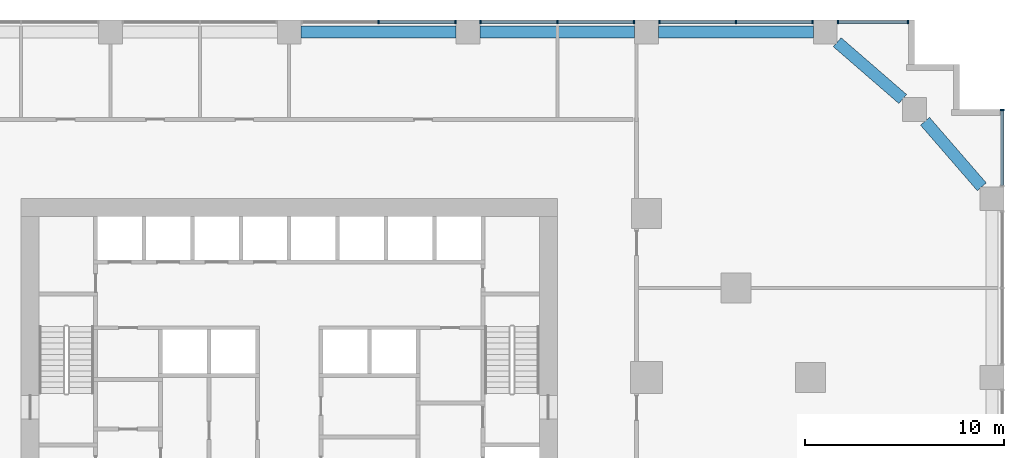
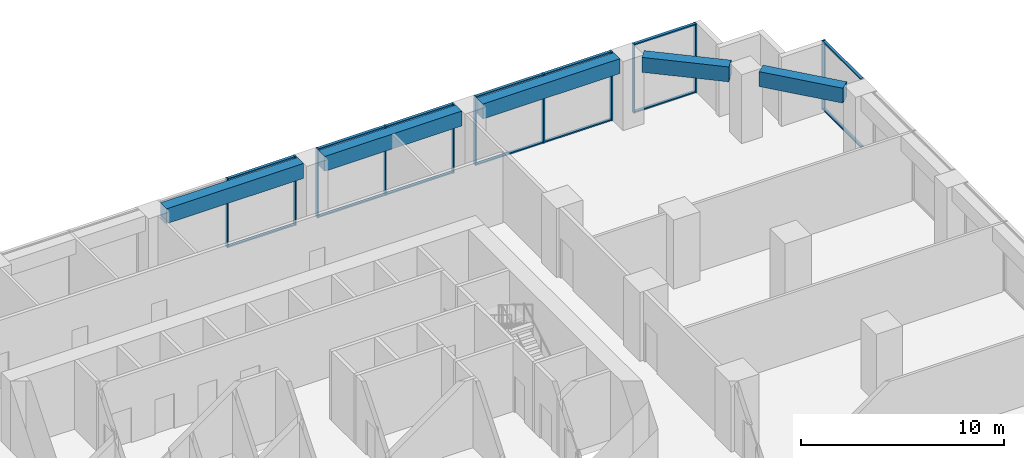
# One storey, part 9 of 18: 25 members, 5 beams, 5 elements without a shape of their own.
"""IFC4 building model written with IfcOpenShell, lengths in metres."""

from ifc_helpers import new_model, si_unit, direction, frame, origin, origin_2d, place, context, subcontext, project, spatial, rectangle, extrude, material, material_profile, profile_set, type_object, element, aggregate, save


model = new_model("IFC4")

# Units and contexts
model_context = context("Model", 3, precision=1e-05, world=origin(), true_north=direction((0.0, 1.0)))
body_context = subcontext(model_context, "Body", "Model", "MODEL_VIEW")
ifc_project = project(units=[si_unit("LENGTHUNIT", "METRE"), si_unit("AREAUNIT", "SQUARE_METRE"), si_unit("VOLUMEUNIT", "CUBIC_METRE"), si_unit("PLANEANGLEUNIT", "RADIAN"), si_unit("MASSUNIT", "GRAM", prefix="KILO")], contexts=[model_context])

# Site, building, storey
site_placement = place(None, origin())
site = spatial("IfcSite", under=ifc_project, at=site_placement, CompositionType="ELEMENT")
building_placement = place(site_placement, origin())
building = spatial("IfcBuilding", under=site, at=building_placement, Name="Orbiselva Terraces", CompositionType="ELEMENT")
storey_placement = place(building_placement, frame((0.0, 0.0, 6.0)))
storey = spatial("IfcBuildingStorey", under=building, at=storey_placement, Name="L01", CompositionType="ELEMENT", Elevation=6.0)

# Curtain wall, member
ifc_material_1 = material(Name="Clear low-e glazing in aluminium frame", Category="aluminium")
curtain_wall_type = type_object("IfcCurtainWallType", Name="ENV-CW-LOBBY", PredefinedType="NOTDEFINED", material=ifc_material_1)
curtain_wall_1_placement = place(storey_placement, origin())
curtain_wall_1 = element("IfcCurtainWall", 1, at=curtain_wall_1_placement, inside=storey, type_object=curtain_wall_type, Name="Curtain wall L01 E", PredefinedType="NOTDEFINED")
ifc_material_2 = material(Name="Anodised aluminium", Category="aluminium")
ifc_material_profile_1 = material_profile(ifc_material_2, rectangle(XDim=0.2, YDim=0.075, at=origin_2d()), Name="AL 75x200")
ifc_profile_set_1 = profile_set([ifc_material_profile_1], Name="Anodised aluminium")
member_type_1 = type_object("IfcMemberType", Name="ENV-CW-LOBBY-MULLION-75x200", PredefinedType="MULLION", material=ifc_profile_set_1)
member_1_placement = place(storey_placement, frame((35.9, 26.9625, 0.0), z_axis=(0.0, 0.0, 1.0), x_axis=(-1.0, 0.0, 0.0)))
member_1 = element("IfcMember", 2, at=member_1_placement, type_object=member_type_1, Name="CW1 mullion 2", PredefinedType="MULLION", context=body_context, shape_type="SweptSolid", body=[
    extrude(rectangle(XDim=0.2, YDim=0.075, at=origin_2d()), origin(), (0.0, 0.0, 1.0), 4.15),
])

# Curtain wall, members
curtain_wall_2_placement = place(storey_placement, origin())
curtain_wall_2 = element("IfcCurtainWall", 3, at=curtain_wall_2_placement, inside=storey, type_object=curtain_wall_type, Name="Curtain wall L01 N", PredefinedType="NOTDEFINED")
member_2_placement = place(storey_placement, frame((31.1625, 31.4, 0.0), z_axis=(0.0, 0.0, 1.0), x_axis=(0.0, -1.0, 0.0)))
member_2 = element("IfcMember", 4, at=member_2_placement, type_object=member_type_1, Name="CW1 mullion 1", PredefinedType="MULLION", context=body_context, shape_type="SweptSolid", body=[
    extrude(rectangle(XDim=0.2, YDim=0.075, at=origin_2d()), origin(), (0.0, 0.0, 1.0), 4.15),
])
member_3_placement = place(storey_placement, frame((27.6375, 31.4, 0.0), z_axis=(0.0, 0.0, 1.0), x_axis=(0.0, -1.0, 0.0)))
member_3 = element("IfcMember", 5, at=member_3_placement, type_object=member_type_1, Name="CW1 mullion 2", PredefinedType="MULLION", context=body_context, shape_type="SweptSolid", body=[
    extrude(rectangle(XDim=0.2, YDim=0.075, at=origin_2d()), origin(), (0.0, 0.0, 1.0), 4.15),
])

curtain_wall_3_placement = place(storey_placement, origin())
curtain_wall_3 = element("IfcCurtainWall", 6, at=curtain_wall_3_placement, inside=storey, type_object=curtain_wall_type, Name="Curtain wall L01 N", PredefinedType="NOTDEFINED")
member_4_placement = place(storey_placement, frame((26.3625, 31.4, 0.0), z_axis=(0.0, 0.0, 1.0), x_axis=(0.0, -1.0, 0.0)))
member_4 = element("IfcMember", 7, at=member_4_placement, type_object=member_type_1, Name="CW1 mullion 1", PredefinedType="MULLION", context=body_context, shape_type="SweptSolid", body=[
    extrude(rectangle(XDim=0.2, YDim=0.075, at=origin_2d()), origin(), (0.0, 0.0, 1.0), 4.15),
])
member_5_placement = place(storey_placement, frame((22.5, 31.4, 0.0), z_axis=(0.0, 0.0, 1.0), x_axis=(0.0, -1.0, 0.0)))
member_5 = element("IfcMember", 8, at=member_5_placement, type_object=member_type_1, Name="CW1 mullion 2", PredefinedType="MULLION", context=body_context, shape_type="SweptSolid", body=[
    extrude(rectangle(XDim=0.2, YDim=0.075, at=origin_2d()), origin(), (0.0, 0.0, 1.0), 4.15),
])
member_6_placement = place(storey_placement, frame((18.6375, 31.4, 0.0), z_axis=(0.0, 0.0, 1.0), x_axis=(0.0, -1.0, 0.0)))
member_6 = element("IfcMember", 9, at=member_6_placement, type_object=member_type_1, Name="CW1 mullion 3", PredefinedType="MULLION", context=body_context, shape_type="SweptSolid", body=[
    extrude(rectangle(XDim=0.2, YDim=0.075, at=origin_2d()), origin(), (0.0, 0.0, 1.0), 4.15),
])

curtain_wall_4_placement = place(storey_placement, origin())
curtain_wall_4 = element("IfcCurtainWall", 10, at=curtain_wall_4_placement, inside=storey, type_object=curtain_wall_type, Name="Curtain wall L01 N", PredefinedType="NOTDEFINED")
member_7_placement = place(storey_placement, frame((17.3625, 31.4, 0.0), z_axis=(0.0, 0.0, 1.0), x_axis=(0.0, -1.0, 0.0)))
member_7 = element("IfcMember", 11, at=member_7_placement, type_object=member_type_1, Name="CW1 mullion 1", PredefinedType="MULLION", context=body_context, shape_type="SweptSolid", body=[
    extrude(rectangle(XDim=0.2, YDim=0.075, at=origin_2d()), origin(), (0.0, 0.0, 1.0), 4.15),
])
member_8_placement = place(storey_placement, frame((13.5, 31.4, 0.0), z_axis=(0.0, 0.0, 1.0), x_axis=(0.0, -1.0, 0.0)))
member_8 = element("IfcMember", 12, at=member_8_placement, type_object=member_type_1, Name="CW1 mullion 2", PredefinedType="MULLION", context=body_context, shape_type="SweptSolid", body=[
    extrude(rectangle(XDim=0.2, YDim=0.075, at=origin_2d()), origin(), (0.0, 0.0, 1.0), 4.15),
])
member_9_placement = place(storey_placement, frame((9.6375, 31.4, 0.0), z_axis=(0.0, 0.0, 1.0), x_axis=(0.0, -1.0, 0.0)))
member_9 = element("IfcMember", 13, at=member_9_placement, type_object=member_type_1, Name="CW1 mullion 3", PredefinedType="MULLION", context=body_context, shape_type="SweptSolid", body=[
    extrude(rectangle(XDim=0.2, YDim=0.075, at=origin_2d()), origin(), (0.0, 0.0, 1.0), 4.15),
])

curtain_wall_5_placement = place(storey_placement, origin())
curtain_wall_5 = element("IfcCurtainWall", 14, at=curtain_wall_5_placement, inside=storey, type_object=curtain_wall_type, Name="Curtain wall L01 N", PredefinedType="NOTDEFINED")
member_10_placement = place(storey_placement, frame((8.3625, 31.4, 0.0), z_axis=(0.0, 0.0, 1.0), x_axis=(0.0, -1.0, 0.0)))
member_10 = element("IfcMember", 15, at=member_10_placement, type_object=member_type_1, Name="CW1 mullion 1", PredefinedType="MULLION", context=body_context, shape_type="SweptSolid", body=[
    extrude(rectangle(XDim=0.2, YDim=0.075, at=origin_2d()), origin(), (0.0, 0.0, 1.0), 4.15),
])
member_11_placement = place(storey_placement, frame((4.5, 31.4, 0.0), z_axis=(0.0, 0.0, 1.0), x_axis=(0.0, -1.0, 0.0)))
member_11 = element("IfcMember", 16, at=member_11_placement, type_object=member_type_1, Name="CW1 mullion 2", PredefinedType="MULLION", context=body_context, shape_type="SweptSolid", body=[
    extrude(rectangle(XDim=0.2, YDim=0.075, at=origin_2d()), origin(), (0.0, 0.0, 1.0), 4.15),
])

# Member
ifc_material_profile_2 = material_profile(ifc_material_2, rectangle(XDim=0.16, YDim=0.075, at=origin_2d()), Name="AL 75x160")
ifc_profile_set_2 = profile_set([ifc_material_profile_2], Name="Anodised aluminium")
member_type_2 = type_object("IfcMemberType", Name="ENV-CW-LOBBY-TRANSOM-75x160", PredefinedType="USERDEFINED", material=ifc_profile_set_2)
member_12_placement = place(storey_placement, frame((35.9, 23.175, 0.0375), z_axis=(0.0, 1.0, 0.0), x_axis=(-1.0, 0.0, 0.0)))
member_12 = element("IfcMember", 17, at=member_12_placement, type_object=member_type_2, Name="CW1 transom 1.1", ObjectType="TRANSOM", PredefinedType="USERDEFINED", context=body_context, shape_type="SweptSolid", body=[
    extrude(rectangle(XDim=0.16, YDim=0.075, at=origin_2d()), origin(), (0.0, 0.0, 1.0), 3.75),
])

member_13_placement = place(storey_placement, frame((35.9, 23.175, 4.1125), z_axis=(0.0, 1.0, 0.0), x_axis=(-1.0, 0.0, 0.0)))
member_13 = element("IfcMember", 18, at=member_13_placement, type_object=member_type_2, Name="CW1 transom 1.2", ObjectType="TRANSOM", PredefinedType="USERDEFINED", context=body_context, shape_type="SweptSolid", body=[
    extrude(rectangle(XDim=0.16, YDim=0.075, at=origin_2d()), origin(), (0.0, 0.0, 1.0), 3.75),
])

aggregate(curtain_wall_1, [member_1, member_12, member_13])

member_14_placement = place(storey_placement, frame((31.125, 31.4, 0.0375), z_axis=(-1.0, 0.0, 0.0), x_axis=(0.0, -1.0, 0.0)))
member_14 = element("IfcMember", 19, at=member_14_placement, type_object=member_type_2, Name="CW1 transom 1.1", ObjectType="TRANSOM", PredefinedType="USERDEFINED", context=body_context, shape_type="SweptSolid", body=[
    extrude(rectangle(XDim=0.16, YDim=0.075, at=origin_2d()), origin(), (0.0, 0.0, 1.0), 3.45),
])

member_15_placement = place(storey_placement, frame((31.125, 31.4, 4.1125), z_axis=(-1.0, 0.0, 0.0), x_axis=(0.0, -1.0, 0.0)))
member_15 = element("IfcMember", 20, at=member_15_placement, type_object=member_type_2, Name="CW1 transom 1.2", ObjectType="TRANSOM", PredefinedType="USERDEFINED", context=body_context, shape_type="SweptSolid", body=[
    extrude(rectangle(XDim=0.16, YDim=0.075, at=origin_2d()), origin(), (0.0, 0.0, 1.0), 3.45),
])

aggregate(curtain_wall_2, [member_2, member_3, member_14, member_15])

member_16_placement = place(storey_placement, frame((26.325, 31.4, 0.0375), z_axis=(-1.0, 0.0, 0.0), x_axis=(0.0, -1.0, 0.0)))
member_16 = element("IfcMember", 21, at=member_16_placement, type_object=member_type_2, Name="CW1 transom 1.1", ObjectType="TRANSOM", PredefinedType="USERDEFINED", context=body_context, shape_type="SweptSolid", body=[
    extrude(rectangle(XDim=0.16, YDim=0.075, at=origin_2d()), origin(), (0.0, 0.0, 1.0), 3.7875),
])

member_17_placement = place(storey_placement, frame((26.325, 31.4, 4.1125), z_axis=(-1.0, 0.0, 0.0), x_axis=(0.0, -1.0, 0.0)))
member_17 = element("IfcMember", 22, at=member_17_placement, type_object=member_type_2, Name="CW1 transom 1.2", ObjectType="TRANSOM", PredefinedType="USERDEFINED", context=body_context, shape_type="SweptSolid", body=[
    extrude(rectangle(XDim=0.16, YDim=0.075, at=origin_2d()), origin(), (0.0, 0.0, 1.0), 3.7875),
])

member_18_placement = place(storey_placement, frame((22.4625, 31.4, 0.0375), z_axis=(-1.0, 0.0, 0.0), x_axis=(0.0, -1.0, 0.0)))
member_18 = element("IfcMember", 23, at=member_18_placement, type_object=member_type_2, Name="CW1 transom 2.1", ObjectType="TRANSOM", PredefinedType="USERDEFINED", context=body_context, shape_type="SweptSolid", body=[
    extrude(rectangle(XDim=0.16, YDim=0.075, at=origin_2d()), origin(), (0.0, 0.0, 1.0), 3.7875),
])

member_19_placement = place(storey_placement, frame((22.4625, 31.4, 4.1125), z_axis=(-1.0, 0.0, 0.0), x_axis=(0.0, -1.0, 0.0)))
member_19 = element("IfcMember", 24, at=member_19_placement, type_object=member_type_2, Name="CW1 transom 2.2", ObjectType="TRANSOM", PredefinedType="USERDEFINED", context=body_context, shape_type="SweptSolid", body=[
    extrude(rectangle(XDim=0.16, YDim=0.075, at=origin_2d()), origin(), (0.0, 0.0, 1.0), 3.7875),
])

aggregate(curtain_wall_3, [member_4, member_5, member_6, member_16, member_17, member_18, member_19])

member_20_placement = place(storey_placement, frame((17.325, 31.4, 0.0375), z_axis=(-1.0, 0.0, 0.0), x_axis=(0.0, -1.0, 0.0)))
member_20 = element("IfcMember", 25, at=member_20_placement, type_object=member_type_2, Name="CW1 transom 1.1", ObjectType="TRANSOM", PredefinedType="USERDEFINED", context=body_context, shape_type="SweptSolid", body=[
    extrude(rectangle(XDim=0.16, YDim=0.075, at=origin_2d()), origin(), (0.0, 0.0, 1.0), 3.7875),
])

member_21_placement = place(storey_placement, frame((17.325, 31.4, 4.1125), z_axis=(-1.0, 0.0, 0.0), x_axis=(0.0, -1.0, 0.0)))
member_21 = element("IfcMember", 26, at=member_21_placement, type_object=member_type_2, Name="CW1 transom 1.2", ObjectType="TRANSOM", PredefinedType="USERDEFINED", context=body_context, shape_type="SweptSolid", body=[
    extrude(rectangle(XDim=0.16, YDim=0.075, at=origin_2d()), origin(), (0.0, 0.0, 1.0), 3.7875),
])

member_22_placement = place(storey_placement, frame((13.4625, 31.4, 0.0375), z_axis=(-1.0, 0.0, 0.0), x_axis=(0.0, -1.0, 0.0)))
member_22 = element("IfcMember", 27, at=member_22_placement, type_object=member_type_2, Name="CW1 transom 2.1", ObjectType="TRANSOM", PredefinedType="USERDEFINED", context=body_context, shape_type="SweptSolid", body=[
    extrude(rectangle(XDim=0.16, YDim=0.075, at=origin_2d()), origin(), (0.0, 0.0, 1.0), 3.7875),
])

member_23_placement = place(storey_placement, frame((13.4625, 31.4, 4.1125), z_axis=(-1.0, 0.0, 0.0), x_axis=(0.0, -1.0, 0.0)))
member_23 = element("IfcMember", 28, at=member_23_placement, type_object=member_type_2, Name="CW1 transom 2.2", ObjectType="TRANSOM", PredefinedType="USERDEFINED", context=body_context, shape_type="SweptSolid", body=[
    extrude(rectangle(XDim=0.16, YDim=0.075, at=origin_2d()), origin(), (0.0, 0.0, 1.0), 3.7875),
])

aggregate(curtain_wall_4, [member_7, member_8, member_9, member_20, member_21, member_22, member_23])

member_24_placement = place(storey_placement, frame((8.325, 31.4, 0.0375), z_axis=(-1.0, 0.0, 0.0), x_axis=(0.0, -1.0, 0.0)))
member_24 = element("IfcMember", 29, at=member_24_placement, type_object=member_type_2, Name="CW1 transom 1.1", ObjectType="TRANSOM", PredefinedType="USERDEFINED", context=body_context, shape_type="SweptSolid", body=[
    extrude(rectangle(XDim=0.16, YDim=0.075, at=origin_2d()), origin(), (0.0, 0.0, 1.0), 3.7875),
])

member_25_placement = place(storey_placement, frame((8.325, 31.4, 4.1125), z_axis=(-1.0, 0.0, 0.0), x_axis=(0.0, -1.0, 0.0)))
member_25 = element("IfcMember", 30, at=member_25_placement, type_object=member_type_2, Name="CW1 transom 1.2", ObjectType="TRANSOM", PredefinedType="USERDEFINED", context=body_context, shape_type="SweptSolid", body=[
    extrude(rectangle(XDim=0.16, YDim=0.075, at=origin_2d()), origin(), (0.0, 0.0, 1.0), 3.7875),
])

aggregate(curtain_wall_5, [member_10, member_11, member_24, member_25])

# Beams
ifc_material_3 = material(Name="Concrete C60/75", Category="concrete")
ifc_material_profile_3 = material_profile(ifc_material_3, rectangle(XDim=0.6, YDim=0.9, at=origin_2d()), Name="RC 600x900")
ifc_profile_set_3 = profile_set([ifc_material_profile_3], Name="Concrete C60/75")
beam_type = type_object("IfcBeamType", Name="PODIUM GIRDER RC 600x900", PredefinedType="BEAM", material=ifc_profile_set_3)
for number, where, z_axis, x_axis, name in (
    (31, (34.88, 23.1, 3.7), (-0.654930538418, 0.75568908279, 0.0), (-0.75568908279, -0.654930538418, 0.0), "Podium girder 18"),
    (32, (30.9, 27.52, 3.7), (-0.75568908279, 0.654930538418, 0.0), (-0.654930538418, -0.75568908279, 0.0), "Podium girder 19"),
):
    element("IfcBeam", number, at=place(storey_placement, frame(where, z_axis=z_axis, x_axis=x_axis)), inside=storey, type_object=beam_type, Name=name, PredefinedType="BEAM", context=body_context, shape_type="SweptSolid", body=[
        extrude(rectangle(XDim=0.6, YDim=0.9, at=origin_2d()), origin(), (0.0, 0.0, 1.0), 4.366875),
    ])
for number, where, z_axis, x_axis, name in (
    (33, (26.4, 30.9, 3.7), (-1.0, 0.0, 0.0), (0.0, -1.0, 0.0), "Podium girder 20"),
    (34, (17.4, 30.9, 3.7), (-1.0, 0.0, 0.0), (0.0, -1.0, 0.0), "Podium girder 21"),
    (35, (8.4, 30.9, 3.7), (-1.0, 0.0, 0.0), (0.0, -1.0, 0.0), "Podium girder 22"),
):
    element("IfcBeam", number, at=place(storey_placement, frame(where, z_axis=z_axis, x_axis=x_axis)), inside=storey, type_object=beam_type, Name=name, PredefinedType="BEAM", context=body_context, shape_type="SweptSolid", body=[
        extrude(rectangle(XDim=0.6, YDim=0.9, at=origin_2d()), origin(), (0.0, 0.0, 1.0), 7.8),
    ])

save(model, "model.ifc")
